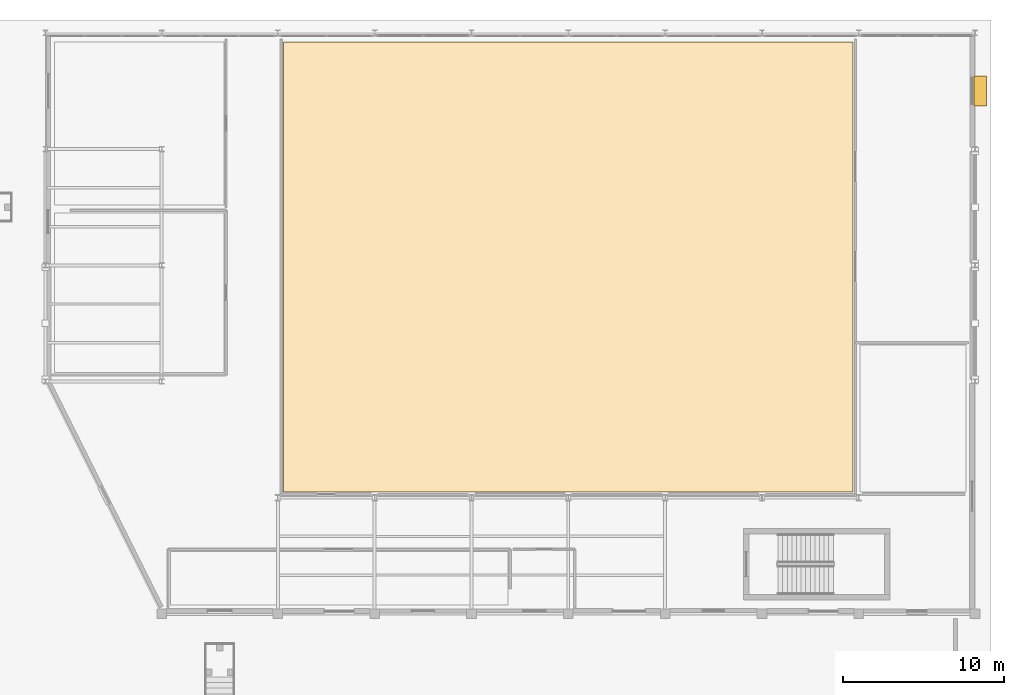
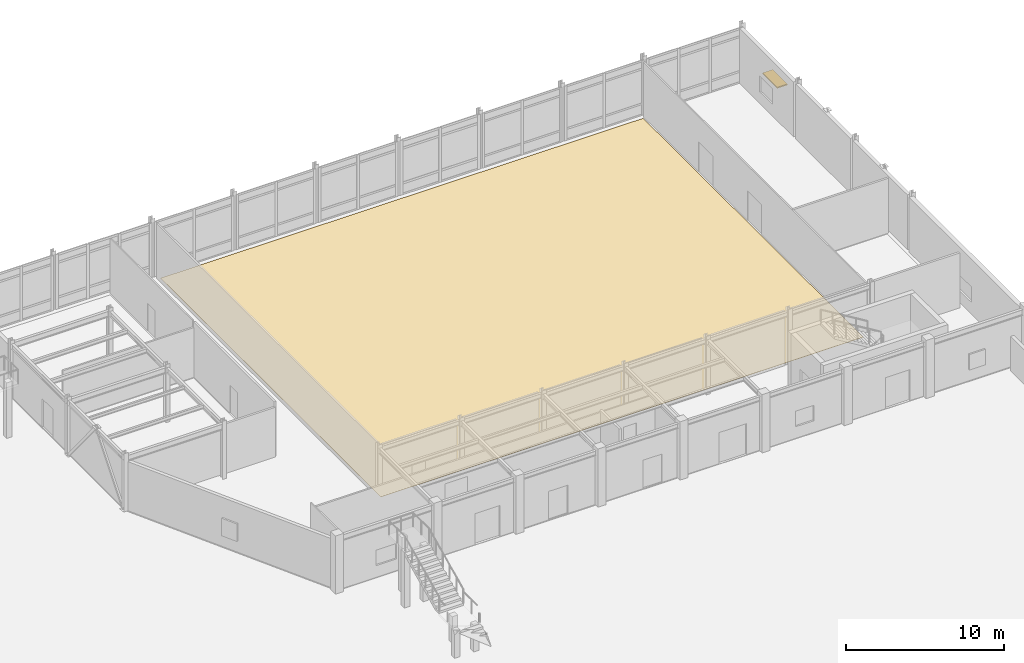
# One storey, part 58 of 58: 1 covering, 1 shading device.
"""IFC4 building model written with IfcOpenShell, lengths in metres."""

from ifc_helpers import new_model, si_unit, direction, frame, origin, origin_2d, place, context, subcontext, project, spatial, polyline, rectangle, outline, extrude, material, layer, layer_set, type_object, element, save


model = new_model("IFC4")

# Units and contexts
model_context = context("Model", 3, precision=1e-05, world=origin(), true_north=direction((0.0, 1.0)))
body_context = subcontext(model_context, "Body", "Model", "MODEL_VIEW")
ifc_project = project(units=[si_unit("LENGTHUNIT", "METRE"), si_unit("AREAUNIT", "SQUARE_METRE"), si_unit("VOLUMEUNIT", "CUBIC_METRE"), si_unit("PLANEANGLEUNIT", "RADIAN"), si_unit("MASSUNIT", "GRAM", prefix="KILO")], contexts=[model_context])

# Site, building, storey
site_placement = place(None, origin())
site = spatial("IfcSite", under=ifc_project, at=site_placement, CompositionType="ELEMENT")
building_placement = place(site_placement, origin())
building = spatial("IfcBuilding", under=site, at=building_placement, Name="Brisavento Harbour Community Centre", CompositionType="ELEMENT")
storey_placement = place(building_placement, origin())
storey = spatial("IfcBuildingStorey", under=building, at=storey_placement, Name="L00", CompositionType="ELEMENT", Elevation=0.0)

# Covering
ifc_material_1 = material(Name="Polished marine terrazzo tile", Category="other")
ifc_layer_1 = layer(ifc_material_1, 0.02001953125, Name="Polished marine terrazzo tile")
ifc_layer_set_1 = layer_set([ifc_layer_1], Name="Polished marine terrazzo tile")
covering_type = type_object("IfcCoveringType", Name="COV-FLR-TRZ", PredefinedType="FLOORING", material=ifc_layer_set_1)
covering_placement = place(storey_placement, origin())
element("IfcCovering", 1, at=covering_placement, inside=storey, type_object=covering_type, Name="L00 Multi-Purpose Sports Hall terrazzo flooring", PredefinedType="FLOORING", context=body_context, shape_type="SweptSolid", body=[
    extrude(outline(polyline([(165.25, 86.75), (165.25, 114.64990234375), (129.949951171875, 114.64990234375), (129.949951171875, 86.75), (165.25, 86.75)])), origin(), (0.0, 0.0, 1.0), 0.02001953125),
])

# Shading device
ifc_material_2 = material(Name="Off-white precast concrete C40/50", Category="concrete")
ifc_layer_2 = layer(ifc_material_2, 0.080078125, Name="Off-white precast concrete C40/50")
ifc_layer_set_2 = layer_set([ifc_layer_2], Name="Off-white precast concrete C40/50")
shading_device_type = type_object("IfcShadingDeviceType", Name="SHD-BLADE", PredefinedType="USERDEFINED", material=ifc_layer_set_2)
shading_device_placement = place(storey_placement, frame((173.1298828125, 111.60009765625, 2.10986328125), z_axis=(0.0, 0.0, 1.0), x_axis=(0.0, -1.0, 0.0)))
element("IfcShadingDevice", 2, at=shading_device_placement, inside=storey, type_object=shading_device_type, Name="L00 precast storm sunshade blade 07", ObjectType="SUNSHADE BLADE", PredefinedType="USERDEFINED", context=body_context, shape_type="SweptSolid", body=[
    extrude(rectangle(XDim=1.85009765625, YDim=0.75, at=origin_2d()), origin(), (0.0, 0.0, 1.0), 0.080078125),
])

save(model, "model.ifc")
